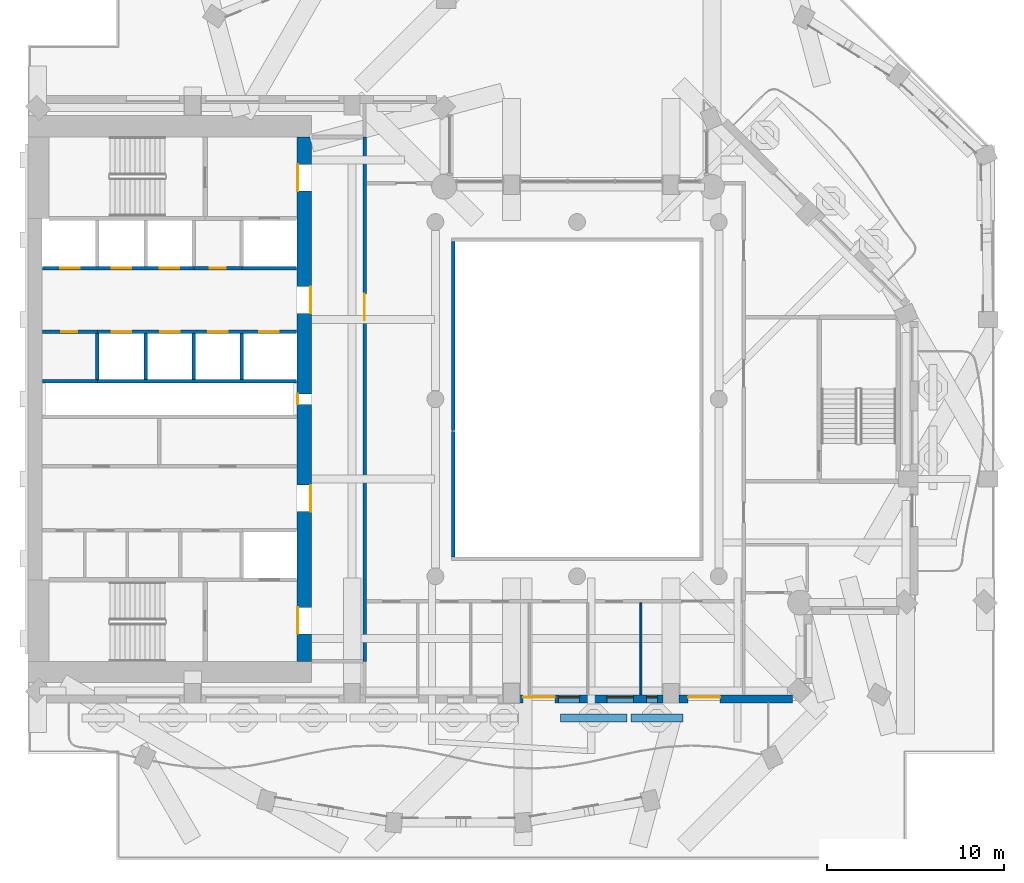
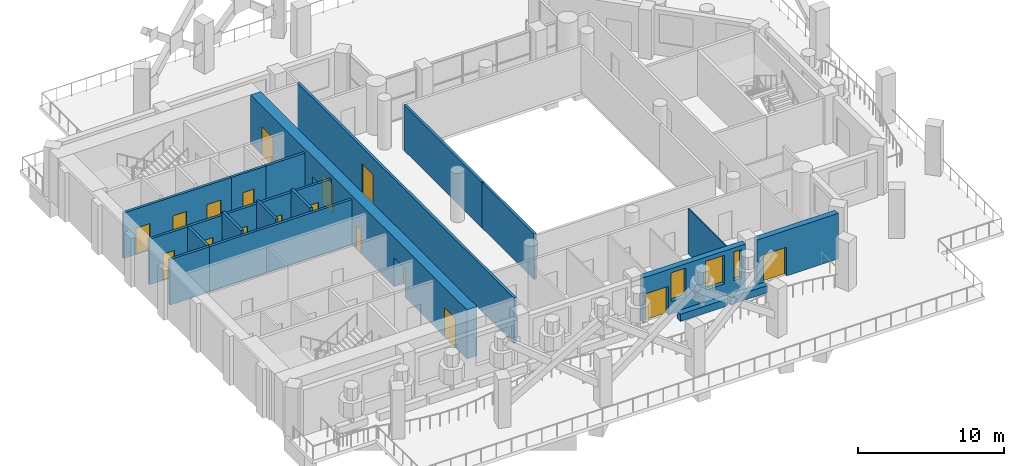
# One storey, part 6 of 18: 20 walls, 17 doors, 3 windows, 20 openings.
"""IFC4 building model written with IfcOpenShell, lengths in metres."""

from ifc_helpers import new_model, si_unit, direction, frame, frame_2d, origin, place, context, subcontext, project, spatial, rectangle, extrude, material, layer, layer_set, type_object, element, fill, save


model = new_model("IFC4")

# Units and contexts
model_context = context("Model", 3, precision=1e-05, world=origin(), true_north=direction((0.0, 1.0)))
body_context = subcontext(model_context, "Body", "Model", "MODEL_VIEW")
ifc_project = project(units=[si_unit("LENGTHUNIT", "METRE"), si_unit("AREAUNIT", "SQUARE_METRE"), si_unit("VOLUMEUNIT", "CUBIC_METRE"), si_unit("PLANEANGLEUNIT", "RADIAN"), si_unit("MASSUNIT", "GRAM", prefix="KILO")], contexts=[model_context])

# Site, building, storey
site_placement = place(None, origin())
site = spatial("IfcSite", under=ifc_project, at=site_placement, CompositionType="ELEMENT")
building_placement = place(site_placement, origin())
building = spatial("IfcBuilding", under=site, at=building_placement, Name="Cypress Arch Tower", CompositionType="ELEMENT")
storey_placement = place(building_placement, frame((0.0, 0.0, 160.5)))
storey = spatial("IfcBuildingStorey", under=building, at=storey_placement, Name="L34", CompositionType="ELEMENT", Elevation=160.5)

# Walls
ifc_material_1 = material(Name="Concrete C40/50, waterproofed", Category="concrete")
ifc_layer_1 = layer(ifc_material_1, 0.449951171875)
ifc_layer_set_1 = layer_set([ifc_layer_1], Name="Balcony planter wall PW450")
wall_type_1 = type_object("IfcWallType", Name="Balcony planter wall PW450", PredefinedType="SOLIDWALL", material=ifc_layer_set_1)
wall_1_placement = place(storey_placement, frame((0.070068359375, -18.0, 0.0), z_axis=(0.0, 0.0, 1.0), x_axis=(1.0, 0.0, 0.0)))
element("IfcWall", 1, at=wall_1_placement, inside=storey, type_object=wall_type_1, Name="Balcony planter wall L34-B01.8", PredefinedType="SOLIDWALL", context=body_context, shape_type="SweptSolid", body=[
    extrude(rectangle(XDim=3.760009765625, YDim=0.449951171875, at=frame_2d((1.8798828125, 0.0))), origin(), (0.0, 0.0, 1.0), 0.60009765625),
])
wall_2_placement = place(storey_placement, frame((4.030029296875, -18.0, 0.0), z_axis=(0.0, 0.0, 1.0), x_axis=(1.0, 0.0, 0.0)))
element("IfcWall", 2, at=wall_2_placement, inside=storey, type_object=wall_type_1, Name="Balcony planter wall L34-B01.9", PredefinedType="SOLIDWALL", context=body_context, shape_type="SweptSolid", body=[
    extrude(rectangle(XDim=2.945068359375, YDim=0.449951171875, at=frame_2d((1.47265625, 0.0))), origin(), (0.0, 0.0, 1.0), 0.60009765625),
])

# Wall, openings, door, windows
ifc_material_2 = material(Name="Brick (red buff blend)", Category="masonry")
ifc_layer_2 = layer(ifc_material_2, 0.449951171875)
ifc_layer_set_2 = layer_set([ifc_layer_2], Name="Brick pier and spandrel wall BW450")
wall_type_2 = type_object("IfcWallType", Name="Brick pier and spandrel wall BW450", PredefinedType="SOLIDWALL", material=ifc_layer_set_2)
wall_3_placement = place(storey_placement, frame((-2.25, -16.925048828125, 0.0), z_axis=(0.0, 0.0, 1.0), x_axis=(1.0, 0.0, 0.0)))
wall_3 = element("IfcWall", 3, at=wall_3_placement, inside=storey, type_object=wall_type_2, Name="Brick wall L34 B01.3", PredefinedType="SOLIDWALL", context=body_context, shape_type="SweptSolid", body=[
    extrude(rectangle(XDim=8.10009765625, YDim=0.449951171875, at=frame_2d((4.050048828125, 0.0))), origin(), (0.0, 0.0, 1.0), 3.800048828125),
])
opening_1_placement = place(wall_3_placement, frame((0.199951171875, 0.0, 0.0)))
opening_1 = element("IfcOpeningElement", 4, at=opening_1_placement, cuts=wall_3, Name="Opening D-L34-B01.3.1", PredefinedType="OPENING", context=body_context, shape_type="SweptSolid", body=[
    extrude(rectangle(XDim=1.800048828125, YDim=2.39990234375, at=frame_2d((0.89990234375, 1.199951171875))), frame((0.0, 0.23486328125, 0.0), z_axis=(0.0, -1.0, 0.0), x_axis=(1.0, 0.0, 0.0)), (0.0, 0.0, 1.0), 0.469970703125),
])
opening_2_placement = place(wall_3_placement, frame((2.199951171875, 0.0, 1.050048828125)))
opening_2 = element("IfcOpeningElement", 5, at=opening_2_placement, cuts=wall_3, Name="Opening W120OD", PredefinedType="OPENING", context=body_context, shape_type="SweptSolid", body=[
    extrude(rectangle(XDim=1.199951171875, YDim=2.39990234375, at=frame_2d((0.60009765625, 1.199951171875))), frame((0.0, 0.23486328125, 0.0), z_axis=(0.0, -1.0, 0.0), x_axis=(1.0, 0.0, 0.0)), (0.0, 0.0, 1.0), 0.469970703125),
])
opening_3_placement = place(wall_3_placement, frame((4.925537109375, 0.0, 1.050048828125)))
opening_3 = element("IfcOpeningElement", 6, at=opening_3_placement, cuts=wall_3, Name="Opening W150OD", PredefinedType="OPENING", context=body_context, shape_type="SweptSolid", body=[
    extrude(rectangle(XDim=1.5, YDim=2.39990234375, at=frame_2d((0.75, 1.199951171875))), frame((0.0, 0.23486328125, 0.0), z_axis=(0.0, -1.0, 0.0), x_axis=(1.0, 0.0, 0.0)), (0.0, 0.0, 1.0), 0.469970703125),
])
opening_4_placement = place(wall_3_placement, frame((7.175537109375, 0.0, 1.050048828125)))
opening_4 = element("IfcOpeningElement", 7, at=opening_4_placement, cuts=wall_3, Name="Opening W060OD", PredefinedType="OPENING", context=body_context, shape_type="SweptSolid", body=[
    extrude(rectangle(XDim=0.60009765625, YDim=2.39990234375, at=frame_2d((0.300048828125, 1.199951171875))), frame((0.0, 0.23486328125, 0.0), z_axis=(0.0, -1.0, 0.0), x_axis=(1.0, 0.0, 0.0)), (0.0, 0.0, 1.0), 0.469970703125),
])
ifc_material_3 = material(Name="Anodised aluminium, bronze finish, laminated low-emissivity double glazing, large-missile impact rated", Category="aluminium")
door_type_1 = type_object("IfcDoorType", Name="Balcony sliding door 1800x2400", OperationType="SLIDING_TO_LEFT", PredefinedType="DOOR", material=ifc_material_3)
door_1_placement = place(opening_1_placement, origin())
door_1 = element("IfcDoor", 8, at=door_1_placement, inside=storey, type_object=door_type_1, Name="Balcony door L34 B01.3.1", OperationType="SLIDING_TO_LEFT", OverallHeight=2.39990234375, OverallWidth=1.800048828125, PredefinedType="DOOR", context=body_context, shape_type="SweptSolid", body=[
    extrude(rectangle(XDim=1.800048828125, YDim=2.39990234375, at=frame_2d((0.89990234375, 1.199951171875))), frame((0.0, 0.1298828125, 0.0), z_axis=(0.0, -1.0, 0.0), x_axis=(1.0, 0.0, 0.0)), (0.0, 0.0, 1.0), 0.050048828125),
])
fill(opening_1, door_1)
ifc_material_4 = material(Name="Anodised aluminium, bronze finish, laminated low-emissivity double glazing, large-missile impact rated", Category="aluminium")
window_type_1 = type_object("IfcWindowType", Name="Window Office 1200x2400 debris-rated", PartitioningType="SINGLE_PANEL", PredefinedType="WINDOW", material=ifc_material_4)
window_1_placement = place(opening_2_placement, origin())
window_1 = element("IfcWindow", 9, at=window_1_placement, inside=storey, type_object=window_type_1, Name="Window L34 B01.3.1", OverallHeight=2.39990234375, OverallWidth=1.199951171875, PartitioningType="SINGLE_PANEL", PredefinedType="WINDOW", context=body_context, shape_type="SweptSolid", body=[
    extrude(rectangle(XDim=1.199951171875, YDim=2.39990234375, at=frame_2d((0.60009765625, 1.199951171875))), frame((0.0, 0.135009765625, 0.0), z_axis=(0.0, -1.0, 0.0), x_axis=(1.0, 0.0, 0.0)), (0.0, 0.0, 1.0), 0.06005859375),
])
fill(opening_2, window_1)
ifc_material_5 = material(Name="Anodised aluminium, bronze finish, laminated low-emissivity double glazing, large-missile impact rated", Category="aluminium")
window_type_2 = type_object("IfcWindowType", Name="Window Office 1500x2400 debris-rated", PartitioningType="SINGLE_PANEL", PredefinedType="WINDOW", material=ifc_material_5)
window_2_placement = place(opening_3_placement, origin())
window_2 = element("IfcWindow", 10, at=window_2_placement, inside=storey, type_object=window_type_2, Name="Window L34 B01.3.2", OverallHeight=2.39990234375, OverallWidth=1.5, PartitioningType="SINGLE_PANEL", PredefinedType="WINDOW", context=body_context, shape_type="SweptSolid", body=[
    extrude(rectangle(XDim=1.5, YDim=2.39990234375, at=frame_2d((0.75, 1.199951171875))), frame((0.0, 0.135009765625, 0.0), z_axis=(0.0, -1.0, 0.0), x_axis=(1.0, 0.0, 0.0)), (0.0, 0.0, 1.0), 0.06005859375),
])
fill(opening_3, window_2)
ifc_material_6 = material(Name="Anodised aluminium, bronze finish, laminated low-emissivity double glazing, large-missile impact rated", Category="aluminium")
window_type_3 = type_object("IfcWindowType", Name="Window Office 600x2400 debris-rated", PartitioningType="SINGLE_PANEL", PredefinedType="WINDOW", material=ifc_material_6)
window_3_placement = place(opening_4_placement, origin())
window_3 = element("IfcWindow", 11, at=window_3_placement, inside=storey, type_object=window_type_3, Name="Window L34 B01.3.2b", OverallHeight=2.39990234375, OverallWidth=0.60009765625, PartitioningType="SINGLE_PANEL", PredefinedType="WINDOW", context=body_context, shape_type="SweptSolid", body=[
    extrude(rectangle(XDim=0.60009765625, YDim=2.39990234375, at=frame_2d((0.300048828125, 1.199951171875))), frame((0.0, 0.135009765625, 0.0), z_axis=(0.0, -1.0, 0.0), x_axis=(1.0, 0.0, 0.0)), (0.0, 0.0, 1.0), 0.06005859375),
])
fill(opening_4, window_3)

# Wall, opening, door
wall_4_placement = place(storey_placement, frame((6.75, -16.925048828125, 0.0), z_axis=(0.0, 0.0, 1.0), x_axis=(1.0, 0.0, 0.0)))
wall_4 = element("IfcWall", 12, at=wall_4_placement, inside=storey, type_object=wall_type_2, Name="Brick wall L34 B01.4", PredefinedType="SOLIDWALL", context=body_context, shape_type="SweptSolid", body=[
    extrude(rectangle(XDim=6.41357421875, YDim=0.449951171875, at=frame_2d((3.206787109375, 0.0))), origin(), (0.0, 0.0, 1.0), 3.800048828125),
])
opening_5_placement = place(wall_4_placement, frame((0.52490234375, 0.0, 0.0)))
opening_5 = element("IfcOpeningElement", 13, at=opening_5_placement, cuts=wall_4, Name="Opening D-L34-B01.4.1", PredefinedType="OPENING", context=body_context, shape_type="SweptSolid", body=[
    extrude(rectangle(XDim=1.800048828125, YDim=2.39990234375, at=frame_2d((0.89990234375, 1.199951171875))), frame((0.0, 0.23486328125, 0.0), z_axis=(0.0, -1.0, 0.0), x_axis=(1.0, 0.0, 0.0)), (0.0, 0.0, 1.0), 0.469970703125),
])
door_2_placement = place(opening_5_placement, origin())
door_2 = element("IfcDoor", 14, at=door_2_placement, inside=storey, type_object=door_type_1, Name="Balcony door L34 B01.4.1", OperationType="SLIDING_TO_LEFT", OverallHeight=2.39990234375, OverallWidth=1.800048828125, PredefinedType="DOOR", context=body_context, shape_type="SweptSolid", body=[
    extrude(rectangle(XDim=1.800048828125, YDim=2.39990234375, at=frame_2d((0.89990234375, 1.199951171875))), frame((0.0, 0.1298828125, 0.0), z_axis=(0.0, -1.0, 0.0), x_axis=(1.0, 0.0, 0.0)), (0.0, 0.0, 1.0), 0.050048828125),
])
fill(opening_5, door_2)

# Wall, openings, doors
ifc_material_7 = material(Name="Concrete C70/85", Category="concrete")
ifc_layer_3 = layer(ifc_material_7, 0.800048828125)
ifc_layer_set_3 = layer_set([ifc_layer_3], Name="Core wall CW800 C70/85")
wall_type_3 = type_object("IfcWallType", Name="Core wall CW800 C70/85", PredefinedType="SHEAR", material=ifc_layer_set_3)
wall_5_placement = place(storey_placement, frame((-14.39990234375, -14.800048828125, 0.0), z_axis=(0.0, 0.0, 1.0), x_axis=(0.0, 1.0, 0.0)))
wall_5 = element("IfcWall", 15, at=wall_5_placement, inside=storey, type_object=wall_type_3, Name="Core wall", PredefinedType="SHEAR", context=body_context, shape_type="SweptSolid", body=[
    extrude(rectangle(XDim=29.60009765625, YDim=0.800048828125, at=frame_2d((14.800048828125, 0.0))), origin(), (0.0, 0.0, 1.0), 4.10009765625),
])
opening_6_placement = place(wall_5_placement, frame((1.550048828125, 0.0, 0.0)))
opening_6 = element("IfcOpeningElement", 16, at=opening_6_placement, cuts=wall_5, Name="Opening D07", PredefinedType="OPENING", context=body_context, shape_type="SweptSolid", body=[
    extrude(rectangle(XDim=1.5, YDim=2.39990234375, at=frame_2d((0.75, 1.199951171875))), frame((0.0, 0.409912109375, 0.0), z_axis=(0.0, -1.0, 0.0), x_axis=(1.0, 0.0, 0.0)), (0.0, 0.0, 1.0), 0.820068359375),
])
opening_7_placement = place(wall_5_placement, frame((26.550048828125, 0.0, 0.0)))
opening_7 = element("IfcOpeningElement", 17, at=opening_7_placement, cuts=wall_5, Name="Opening D07", PredefinedType="OPENING", context=body_context, shape_type="SweptSolid", body=[
    extrude(rectangle(XDim=1.5, YDim=2.39990234375, at=frame_2d((0.75, 1.199951171875))), frame((0.0, 0.409912109375, 0.0), z_axis=(0.0, -1.0, 0.0), x_axis=(1.0, 0.0, 0.0)), (0.0, 0.0, 1.0), 0.820068359375),
])
opening_8_placement = place(wall_5_placement, frame((8.449951171875, 0.0, 0.0)))
opening_8 = element("IfcOpeningElement", 18, at=opening_8_placement, cuts=wall_5, Name="Opening D07", PredefinedType="OPENING", context=body_context, shape_type="SweptSolid", body=[
    extrude(rectangle(XDim=1.5, YDim=2.39990234375, at=frame_2d((0.75, 1.199951171875))), frame((0.0, 0.409912109375, 0.0), z_axis=(0.0, -1.0, 0.0), x_axis=(1.0, 0.0, 0.0)), (0.0, 0.0, 1.0), 0.820068359375),
])
opening_9_placement = place(wall_5_placement, frame((19.64990234375, 0.0, 0.0)))
opening_9 = element("IfcOpeningElement", 19, at=opening_9_placement, cuts=wall_5, Name="Opening D07", PredefinedType="OPENING", context=body_context, shape_type="SweptSolid", body=[
    extrude(rectangle(XDim=1.5, YDim=2.39990234375, at=frame_2d((0.75, 1.199951171875))), frame((0.0, 0.409912109375, 0.0), z_axis=(0.0, -1.0, 0.0), x_axis=(1.0, 0.0, 0.0)), (0.0, 0.0, 1.0), 0.820068359375),
])
opening_10_placement = place(wall_5_placement, frame((14.5, 0.0, 0.0)))
opening_10 = element("IfcOpeningElement", 20, at=opening_10_placement, cuts=wall_5, Name="Opening D08", PredefinedType="OPENING", context=body_context, shape_type="SweptSolid", body=[
    extrude(rectangle(XDim=0.60009765625, YDim=2.0, at=frame_2d((0.300048828125, 1.0))), frame((0.0, 0.409912109375, 0.0), z_axis=(0.0, -1.0, 0.0), x_axis=(1.0, 0.0, 0.0)), (0.0, 0.0, 1.0), 0.820068359375),
])
ifc_material_8 = material(Name="Steel framed glazed door, fire resisting", Category="steel")
door_type_2 = type_object("IfcDoorType", Name="Lobby door D07 1500x2400", OperationType="DOUBLE_DOOR_SINGLE_SWING", PredefinedType="DOOR", material=ifc_material_8)
door_3_placement = place(opening_6_placement, origin())
door_3 = element("IfcDoor", 21, at=door_3_placement, inside=storey, type_object=door_type_2, Name="Lobby door", OperationType="DOUBLE_DOOR_SINGLE_SWING", OverallHeight=2.39990234375, OverallWidth=1.5, PredefinedType="DOOR", context=body_context, shape_type="SweptSolid", body=[
    extrude(rectangle(XDim=1.5, YDim=2.39990234375, at=frame_2d((0.75, 1.199951171875))), frame((0.0, 0.39501953125, 0.0), z_axis=(0.0, -1.0, 0.0), x_axis=(1.0, 0.0, 0.0)), (0.0, 0.0, 1.0), 0.050048828125),
])
fill(opening_6, door_3)
door_4_placement = place(opening_7_placement, origin())
door_4 = element("IfcDoor", 22, at=door_4_placement, inside=storey, type_object=door_type_2, Name="Lobby door", OperationType="DOUBLE_DOOR_SINGLE_SWING", OverallHeight=2.39990234375, OverallWidth=1.5, PredefinedType="DOOR", context=body_context, shape_type="SweptSolid", body=[
    extrude(rectangle(XDim=1.5, YDim=2.39990234375, at=frame_2d((0.75, 1.199951171875))), frame((0.0, 0.39501953125, 0.0), z_axis=(0.0, -1.0, 0.0), x_axis=(1.0, 0.0, 0.0)), (0.0, 0.0, 1.0), 0.050048828125),
])
fill(opening_7, door_4)
door_5_placement = place(opening_8_placement, origin())
door_5 = element("IfcDoor", 23, at=door_5_placement, inside=storey, type_object=door_type_2, Name="Lobby door", OperationType="DOUBLE_DOOR_SINGLE_SWING", OverallHeight=2.39990234375, OverallWidth=1.5, PredefinedType="DOOR", context=body_context, shape_type="SweptSolid", body=[
    extrude(rectangle(XDim=1.5, YDim=2.39990234375, at=frame_2d((0.75, 1.199951171875))), frame((0.0, -0.34521484375, 0.0), z_axis=(0.0, -1.0, 0.0), x_axis=(1.0, 0.0, 0.0)), (0.0, 0.0, 1.0), 0.050048828125),
])
fill(opening_8, door_5)
door_6_placement = place(opening_9_placement, origin())
door_6 = element("IfcDoor", 24, at=door_6_placement, inside=storey, type_object=door_type_2, Name="Lobby door", OperationType="DOUBLE_DOOR_SINGLE_SWING", OverallHeight=2.39990234375, OverallWidth=1.5, PredefinedType="DOOR", context=body_context, shape_type="SweptSolid", body=[
    extrude(rectangle(XDim=1.5, YDim=2.39990234375, at=frame_2d((0.75, 1.199951171875))), frame((0.0, -0.34521484375, 0.0), z_axis=(0.0, -1.0, 0.0), x_axis=(1.0, 0.0, 0.0)), (0.0, 0.0, 1.0), 0.050048828125),
])
fill(opening_9, door_6)
ifc_material_9 = material(Name="Steel access door, fire resisting", Category="steel")
door_type_3 = type_object("IfcDoorType", Name="Riser access door D08 600x2000", OperationType="SINGLE_SWING_LEFT", PredefinedType="DOOR", material=ifc_material_9)
door_7_placement = place(opening_10_placement, origin())
door_7 = element("IfcDoor", 25, at=door_7_placement, inside=storey, type_object=door_type_3, Name="Riser access door", OperationType="SINGLE_SWING_RIGHT", OverallHeight=2.0, OverallWidth=0.60009765625, PredefinedType="DOOR", context=body_context, shape_type="SweptSolid", body=[
    extrude(rectangle(XDim=0.60009765625, YDim=2.0, at=frame_2d((0.300048828125, 1.0))), frame((0.0, 0.39501953125, 0.0), z_axis=(0.0, -1.0, 0.0), x_axis=(1.0, 0.0, 0.0)), (0.0, 0.0, 1.0), 0.050048828125),
])
fill(opening_10, door_7)

# Wall, opening, door
ifc_material_10 = material(Name="Concrete blockwork, plastered, rated", Category="masonry")
ifc_layer_4 = layer(ifc_material_10, 0.199951171875)
ifc_layer_set_4 = layer_set([ifc_layer_4], Name="Corridor wall FW200")
wall_type_4 = type_object("IfcWallType", Name="Corridor wall FW200", PredefinedType="PARTITIONING", material=ifc_layer_set_4)
wall_6_placement = place(storey_placement, frame((-29.169921875, 3.800048828125, 0.0), z_axis=(0.0, 0.0, 1.0), x_axis=(1.0, 0.0, 0.0)))
wall_6 = element("IfcWall", 26, at=wall_6_placement, inside=storey, type_object=wall_type_4, Name="Corridor wall", PredefinedType="PARTITIONING", context=body_context, shape_type="SweptSolid", body=[
    extrude(rectangle(XDim=3.08984375, YDim=0.199951171875, at=frame_2d((1.544921875, 0.0))), origin(), (0.0, 0.0, 1.0), 3.800048828125),
])
opening_11_placement = place(wall_6_placement, frame((1.050048828125, 0.0, 0.0)))
opening_11 = element("IfcOpeningElement", 27, at=opening_11_placement, cuts=wall_6, Name="Opening D05", PredefinedType="OPENING", context=body_context, shape_type="SweptSolid", body=[
    extrude(rectangle(XDim=0.89990234375, YDim=2.199951171875, at=frame_2d((0.449951171875, 1.10009765625))), frame((0.0, 0.10986328125, 0.0), z_axis=(0.0, -1.0, 0.0), x_axis=(1.0, 0.0, 0.0)), (0.0, 0.0, 1.0), 0.219970703125),
])
ifc_material_11 = material(Name="Timber flush door", Category="wood")
door_type_4 = type_object("IfcDoorType", Name="Service door D05 900x2200", OperationType="SINGLE_SWING_LEFT", PredefinedType="DOOR", material=ifc_material_11)
door_8_placement = place(opening_11_placement, origin())
door_8 = element("IfcDoor", 28, at=door_8_placement, inside=storey, type_object=door_type_4, Name="Service door", OperationType="SINGLE_SWING_LEFT", OverallHeight=2.199951171875, OverallWidth=0.89990234375, PredefinedType="DOOR", context=body_context, shape_type="SweptSolid", body=[
    extrude(rectangle(XDim=0.89990234375, YDim=2.199951171875, at=frame_2d((0.449951171875, 1.10009765625))), frame((0.0, 0.02490234375, 0.0), z_axis=(0.0, -1.0, 0.0), x_axis=(1.0, 0.0, 0.0)), (0.0, 0.0, 1.0), 0.050048828125),
])
fill(opening_11, door_8)

wall_7_placement = place(storey_placement, frame((-20.639892578125, 7.39990234375, 0.0), z_axis=(0.0, 0.0, 1.0), x_axis=(1.0, 0.0, 0.0)))
wall_7 = element("IfcWall", 29, at=wall_7_placement, inside=storey, type_object=wall_type_4, Name="Corridor wall", PredefinedType="PARTITIONING", context=body_context, shape_type="SweptSolid", body=[
    extrude(rectangle(XDim=2.719970703125, YDim=0.199951171875, at=frame_2d((1.35986328125, 0.0))), origin(), (0.0, 0.0, 1.0), 3.800048828125),
])
opening_12_placement = place(wall_7_placement, frame((0.89990234375, 0.0, 0.0)))
opening_12 = element("IfcOpeningElement", 30, at=opening_12_placement, cuts=wall_7, Name="Opening D05", PredefinedType="OPENING", context=body_context, shape_type="SweptSolid", body=[
    extrude(rectangle(XDim=0.89990234375, YDim=2.199951171875, at=frame_2d((0.449951171875, 1.10009765625))), frame((0.0, 0.10986328125, 0.0), z_axis=(0.0, -1.0, 0.0), x_axis=(1.0, 0.0, 0.0)), (0.0, 0.0, 1.0), 0.219970703125),
])
door_9_placement = place(opening_12_placement, origin())
door_9 = element("IfcDoor", 31, at=door_9_placement, inside=storey, type_object=door_type_4, Name="Service door", OperationType="SINGLE_SWING_LEFT", OverallHeight=2.199951171875, OverallWidth=0.89990234375, PredefinedType="DOOR", context=body_context, shape_type="SweptSolid", body=[
    extrude(rectangle(XDim=0.89990234375, YDim=2.199951171875, at=frame_2d((0.449951171875, 1.10009765625))), frame((0.0, 0.02490234375, 0.0), z_axis=(0.0, -1.0, 0.0), x_axis=(1.0, 0.0, 0.0)), (0.0, 0.0, 1.0), 0.050048828125),
])
fill(opening_12, door_9)

wall_8_placement = place(storey_placement, frame((-11.0, -14.800048828125, 0.0), z_axis=(0.0, 0.0, 1.0), x_axis=(0.0, 1.0, 0.0)))
wall_8 = element("IfcWall", 32, at=wall_8_placement, inside=storey, type_object=wall_type_4, Name="Corridor wall", PredefinedType="PARTITIONING", context=body_context, shape_type="SweptSolid", body=[
    extrude(rectangle(XDim=29.60009765625, YDim=0.199951171875, at=frame_2d((14.800048828125, 0.0))), origin(), (0.0, 0.0, 1.0), 3.800048828125),
])
opening_13_placement = place(wall_8_placement, frame((19.25, 0.0, 0.0)))
opening_13 = element("IfcOpeningElement", 33, at=opening_13_placement, cuts=wall_8, Name="Opening D07", PredefinedType="OPENING", context=body_context, shape_type="SweptSolid", body=[
    extrude(rectangle(XDim=1.5, YDim=2.39990234375, at=frame_2d((0.75, 1.199951171875))), frame((0.0, 0.10986328125, 0.0), z_axis=(0.0, -1.0, 0.0), x_axis=(1.0, 0.0, 0.0)), (0.0, 0.0, 1.0), 0.219970703125),
])
door_10_placement = place(opening_13_placement, origin())
door_10 = element("IfcDoor", 34, at=door_10_placement, inside=storey, type_object=door_type_2, Name="Lobby door", OperationType="DOUBLE_DOOR_SINGLE_SWING", OverallHeight=2.39990234375, OverallWidth=1.5, PredefinedType="DOOR", context=body_context, shape_type="SweptSolid", body=[
    extrude(rectangle(XDim=1.5, YDim=2.39990234375, at=frame_2d((0.75, 1.199951171875))), frame((0.0, 0.02490234375, 0.0), z_axis=(0.0, -1.0, 0.0), x_axis=(1.0, 0.0, 0.0)), (0.0, 0.0, 1.0), 0.050048828125),
])
fill(opening_13, door_10)

# Walls
wall_9_placement = place(storey_placement, frame((-6.0, -8.89990234375, 0.0), z_axis=(0.0, 0.0, 1.0), x_axis=(0.0, 1.0, 0.0)))
element("IfcWall", 35, at=wall_9_placement, inside=storey, type_object=wall_type_4, Name="Corridor wall", PredefinedType="PARTITIONING", context=body_context, shape_type="SweptSolid", body=[
    extrude(rectangle(XDim=7.079833984375, YDim=0.199951171875, at=frame_2d((3.5400390625, 0.0))), origin(), (0.0, 0.0, 1.0), 3.800048828125),
])
wall_10_placement = place(storey_placement, frame((-6.0, -1.780029296875, 0.0), z_axis=(0.0, 0.0, 1.0), x_axis=(0.0, 1.0, 0.0)))
element("IfcWall", 36, at=wall_10_placement, inside=storey, type_object=wall_type_4, Name="Corridor wall", PredefinedType="PARTITIONING", context=body_context, shape_type="SweptSolid", body=[
    extrude(rectangle(XDim=10.679931640625, YDim=0.199951171875, at=frame_2d((5.33984375, 0.0))), origin(), (0.0, 0.0, 1.0), 3.800048828125),
])
ifc_material_12 = material(Name="Reinforced blockwork, plastered, rated", Category="masonry")
ifc_layer_5 = layer(ifc_material_12, 0.199951171875)
ifc_layer_set_5 = layer_set([ifc_layer_5], Name="Plant and riser wall PL200")
wall_type_5 = type_object("IfcWallType", Name="Plant and riser wall PL200", PredefinedType="PARTITIONING", material=ifc_layer_set_5)
wall_11_placement = place(storey_placement, frame((-29.169921875, 1.0, 0.0), z_axis=(0.0, 0.0, 1.0), x_axis=(1.0, 0.0, 0.0)))
element("IfcWall", 37, at=wall_11_placement, inside=storey, type_object=wall_type_5, Name="Plant and riser wall", PredefinedType="PARTITIONING", context=body_context, shape_type="SweptSolid", body=[
    extrude(rectangle(XDim=3.08984375, YDim=0.199951171875, at=frame_2d((1.544921875, 0.0))), origin(), (0.0, 0.0, 1.0), 3.800048828125),
])

# Wall, openings, doors
ifc_material_13 = material(Name="Concrete C50/60", Category="concrete")
ifc_layer_6 = layer(ifc_material_13, 0.199951171875)
ifc_layer_set_6 = layer_set([ifc_layer_6], Name="Shaft wall SH200")
wall_type_6 = type_object("IfcWallType", Name="Shaft wall SH200", PredefinedType="SHEAR", material=ifc_layer_set_6)
wall_12_placement = place(storey_placement, frame((-29.169921875, 7.39990234375, 0.0), z_axis=(0.0, 0.0, 1.0), x_axis=(1.0, 0.0, 0.0)))
wall_12 = element("IfcWall", 38, at=wall_12_placement, inside=storey, type_object=wall_type_6, Name="Shaft wall", PredefinedType="SHEAR", context=body_context, shape_type="SweptSolid", body=[
    extrude(rectangle(XDim=8.530029296875, YDim=0.199951171875, at=frame_2d((4.26513671875, 0.0))), origin(), (0.0, 0.0, 1.0), 3.800048828125),
])
opening_14_placement = place(wall_12_placement, frame((1.0, 0.0, 0.0)))
opening_14 = element("IfcOpeningElement", 39, at=opening_14_placement, cuts=wall_12, Name="Opening LD-HR5", PredefinedType="OPENING", context=body_context, shape_type="SweptSolid", body=[
    extrude(rectangle(XDim=1.10009765625, YDim=2.199951171875, at=frame_2d((0.550048828125, 1.10009765625))), frame((0.0, 0.10986328125, 0.0), z_axis=(0.0, -1.0, 0.0), x_axis=(1.0, 0.0, 0.0)), (0.0, 0.0, 1.0), 0.219970703125),
])
opening_15_placement = place(wall_12_placement, frame((3.89990234375, 0.0, 0.0)))
opening_15 = element("IfcOpeningElement", 40, at=opening_15_placement, cuts=wall_12, Name="Opening LD-HR6", PredefinedType="OPENING", context=body_context, shape_type="SweptSolid", body=[
    extrude(rectangle(XDim=1.10009765625, YDim=2.199951171875, at=frame_2d((0.550048828125, 1.10009765625))), frame((0.0, 0.10986328125, 0.0), z_axis=(0.0, -1.0, 0.0), x_axis=(1.0, 0.0, 0.0)), (0.0, 0.0, 1.0), 0.219970703125),
])
opening_16_placement = place(wall_12_placement, frame((6.60009765625, 0.0, 0.0)))
opening_16 = element("IfcOpeningElement", 41, at=opening_16_placement, cuts=wall_12, Name="Opening LD-HR7", PredefinedType="OPENING", context=body_context, shape_type="SweptSolid", body=[
    extrude(rectangle(XDim=1.10009765625, YDim=2.199951171875, at=frame_2d((0.550048828125, 1.10009765625))), frame((0.0, 0.10986328125, 0.0), z_axis=(0.0, -1.0, 0.0), x_axis=(1.0, 0.0, 0.0)), (0.0, 0.0, 1.0), 0.219970703125),
])
ifc_material_14 = material(Name="Stainless steel centre-opening landing door, rated", Category="steel")
door_type_5 = type_object("IfcDoorType", Name="Lift landing door LD 1100x2200", OperationType="DOUBLE_DOOR_SLIDING", PredefinedType="DOOR", material=ifc_material_14)
door_11_placement = place(opening_14_placement, origin())
door_11 = element("IfcDoor", 42, at=door_11_placement, inside=storey, type_object=door_type_5, Name="Lift landing doors HR5", OperationType="DOUBLE_DOOR_SLIDING", OverallHeight=2.199951171875, OverallWidth=1.10009765625, PredefinedType="DOOR", context=body_context, shape_type="SweptSolid", body=[
    extrude(rectangle(XDim=1.10009765625, YDim=2.199951171875, at=frame_2d((0.550048828125, 1.10009765625))), frame((0.0, 0.02490234375, 0.0), z_axis=(0.0, -1.0, 0.0), x_axis=(1.0, 0.0, 0.0)), (0.0, 0.0, 1.0), 0.050048828125),
])
fill(opening_14, door_11)
door_12_placement = place(opening_15_placement, origin())
door_12 = element("IfcDoor", 43, at=door_12_placement, inside=storey, type_object=door_type_5, Name="Lift landing doors HR6", OperationType="DOUBLE_DOOR_SLIDING", OverallHeight=2.199951171875, OverallWidth=1.10009765625, PredefinedType="DOOR", context=body_context, shape_type="SweptSolid", body=[
    extrude(rectangle(XDim=1.10009765625, YDim=2.199951171875, at=frame_2d((0.550048828125, 1.10009765625))), frame((0.0, 0.02490234375, 0.0), z_axis=(0.0, -1.0, 0.0), x_axis=(1.0, 0.0, 0.0)), (0.0, 0.0, 1.0), 0.050048828125),
])
fill(opening_15, door_12)
door_13_placement = place(opening_16_placement, origin())
door_13 = element("IfcDoor", 44, at=door_13_placement, inside=storey, type_object=door_type_5, Name="Lift landing doors HR7", OperationType="DOUBLE_DOOR_SLIDING", OverallHeight=2.199951171875, OverallWidth=1.10009765625, PredefinedType="DOOR", context=body_context, shape_type="SweptSolid", body=[
    extrude(rectangle(XDim=1.10009765625, YDim=2.199951171875, at=frame_2d((0.550048828125, 1.10009765625))), frame((0.0, 0.02490234375, 0.0), z_axis=(0.0, -1.0, 0.0), x_axis=(1.0, 0.0, 0.0)), (0.0, 0.0, 1.0), 0.050048828125),
])
fill(opening_16, door_13)

# Walls
wall_13_placement = place(storey_placement, frame((-26.080078125, 1.10009765625, 0.0), z_axis=(0.0, 0.0, 1.0), x_axis=(0.0, 1.0, 0.0)))
element("IfcWall", 45, at=wall_13_placement, inside=storey, type_object=wall_type_6, Name="Shaft wall", PredefinedType="SHEAR", context=body_context, shape_type="SweptSolid", body=[
    extrude(rectangle(XDim=2.599853515625, YDim=0.199951171875, at=frame_2d((1.2998046875, 0.0))), origin(), (0.0, 0.0, 1.0), 3.800048828125),
])
wall_14_placement = place(storey_placement, frame((-26.080078125, 1.0, 0.0), z_axis=(0.0, 0.0, 1.0), x_axis=(1.0, 0.0, 0.0)))
element("IfcWall", 46, at=wall_14_placement, inside=storey, type_object=wall_type_6, Name="Shaft wall", PredefinedType="SHEAR", context=body_context, shape_type="SweptSolid", body=[
    extrude(rectangle(XDim=11.25, YDim=0.199951171875, at=frame_2d((5.625, 0.0))), origin(), (0.0, 0.0, 1.0), 3.800048828125),
])

# Wall, openings, doors
wall_15_placement = place(storey_placement, frame((-26.080078125, 3.800048828125, 0.0), z_axis=(0.0, 0.0, 1.0), x_axis=(1.0, 0.0, 0.0)))
wall_15 = element("IfcWall", 47, at=wall_15_placement, inside=storey, type_object=wall_type_6, Name="Shaft wall", PredefinedType="SHEAR", context=body_context, shape_type="SweptSolid", body=[
    extrude(rectangle(XDim=11.25, YDim=0.199951171875, at=frame_2d((5.625, 0.0))), origin(), (0.0, 0.0, 1.0), 3.800048828125),
])
opening_17_placement = place(wall_15_placement, frame((0.800048828125, 0.0, 0.0)))
opening_17 = element("IfcOpeningElement", 48, at=opening_17_placement, cuts=wall_15, Name="Opening LD-HR1", PredefinedType="OPENING", context=body_context, shape_type="SweptSolid", body=[
    extrude(rectangle(XDim=1.10009765625, YDim=2.199951171875, at=frame_2d((0.550048828125, 1.10009765625))), frame((0.0, 0.10986328125, 0.0), z_axis=(0.0, -1.0, 0.0), x_axis=(1.0, 0.0, 0.0)), (0.0, 0.0, 1.0), 0.219970703125),
])
opening_18_placement = place(wall_15_placement, frame((3.550048828125, 0.0, 0.0)))
opening_18 = element("IfcOpeningElement", 49, at=opening_18_placement, cuts=wall_15, Name="Opening LD-HR2", PredefinedType="OPENING", context=body_context, shape_type="SweptSolid", body=[
    extrude(rectangle(XDim=1.10009765625, YDim=2.199951171875, at=frame_2d((0.550048828125, 1.10009765625))), frame((0.0, 0.10986328125, 0.0), z_axis=(0.0, -1.0, 0.0), x_axis=(1.0, 0.0, 0.0)), (0.0, 0.0, 1.0), 0.219970703125),
])
opening_19_placement = place(wall_15_placement, frame((6.25, 0.0, 0.0)))
opening_19 = element("IfcOpeningElement", 50, at=opening_19_placement, cuts=wall_15, Name="Opening LD-HR3", PredefinedType="OPENING", context=body_context, shape_type="SweptSolid", body=[
    extrude(rectangle(XDim=1.10009765625, YDim=2.199951171875, at=frame_2d((0.550048828125, 1.10009765625))), frame((0.0, 0.10986328125, 0.0), z_axis=(0.0, -1.0, 0.0), x_axis=(1.0, 0.0, 0.0)), (0.0, 0.0, 1.0), 0.219970703125),
])
opening_20_placement = place(wall_15_placement, frame((9.14990234375, 0.0, 0.0)))
opening_20 = element("IfcOpeningElement", 51, at=opening_20_placement, cuts=wall_15, Name="Opening LD-HR4", PredefinedType="OPENING", context=body_context, shape_type="SweptSolid", body=[
    extrude(rectangle(XDim=1.10009765625, YDim=2.199951171875, at=frame_2d((0.550048828125, 1.10009765625))), frame((0.0, 0.10986328125, 0.0), z_axis=(0.0, -1.0, 0.0), x_axis=(1.0, 0.0, 0.0)), (0.0, 0.0, 1.0), 0.219970703125),
])
door_14_placement = place(opening_17_placement, origin())
door_14 = element("IfcDoor", 52, at=door_14_placement, inside=storey, type_object=door_type_5, Name="Lift landing doors HR1", OperationType="DOUBLE_DOOR_SLIDING", OverallHeight=2.199951171875, OverallWidth=1.10009765625, PredefinedType="DOOR", context=body_context, shape_type="SweptSolid", body=[
    extrude(rectangle(XDim=1.10009765625, YDim=2.199951171875, at=frame_2d((0.550048828125, 1.10009765625))), frame((0.0, 0.02490234375, 0.0), z_axis=(0.0, -1.0, 0.0), x_axis=(1.0, 0.0, 0.0)), (0.0, 0.0, 1.0), 0.050048828125),
])
fill(opening_17, door_14)
door_15_placement = place(opening_18_placement, origin())
door_15 = element("IfcDoor", 53, at=door_15_placement, inside=storey, type_object=door_type_5, Name="Lift landing doors HR2", OperationType="DOUBLE_DOOR_SLIDING", OverallHeight=2.199951171875, OverallWidth=1.10009765625, PredefinedType="DOOR", context=body_context, shape_type="SweptSolid", body=[
    extrude(rectangle(XDim=1.10009765625, YDim=2.199951171875, at=frame_2d((0.550048828125, 1.10009765625))), frame((0.0, 0.02490234375, 0.0), z_axis=(0.0, -1.0, 0.0), x_axis=(1.0, 0.0, 0.0)), (0.0, 0.0, 1.0), 0.050048828125),
])
fill(opening_18, door_15)
door_16_placement = place(opening_19_placement, origin())
door_16 = element("IfcDoor", 54, at=door_16_placement, inside=storey, type_object=door_type_5, Name="Lift landing doors HR3", OperationType="DOUBLE_DOOR_SLIDING", OverallHeight=2.199951171875, OverallWidth=1.10009765625, PredefinedType="DOOR", context=body_context, shape_type="SweptSolid", body=[
    extrude(rectangle(XDim=1.10009765625, YDim=2.199951171875, at=frame_2d((0.550048828125, 1.10009765625))), frame((0.0, 0.02490234375, 0.0), z_axis=(0.0, -1.0, 0.0), x_axis=(1.0, 0.0, 0.0)), (0.0, 0.0, 1.0), 0.050048828125),
])
fill(opening_19, door_16)
door_17_placement = place(opening_20_placement, origin())
door_17 = element("IfcDoor", 55, at=door_17_placement, inside=storey, type_object=door_type_5, Name="Lift landing doors HR4", OperationType="DOUBLE_DOOR_SLIDING", OverallHeight=2.199951171875, OverallWidth=1.10009765625, PredefinedType="DOOR", context=body_context, shape_type="SweptSolid", body=[
    extrude(rectangle(XDim=1.10009765625, YDim=2.199951171875, at=frame_2d((0.550048828125, 1.10009765625))), frame((0.0, 0.02490234375, 0.0), z_axis=(0.0, -1.0, 0.0), x_axis=(1.0, 0.0, 0.0)), (0.0, 0.0, 1.0), 0.050048828125),
])
fill(opening_20, door_17)

# Walls
for number, where, z_axis, x_axis, name in (
    (56, (-23.360107421875, 1.10009765625, 0.0), (0.0, 0.0, 1.0), (0.0, 1.0, 0.0), "Shaft wall"),
    (57, (-20.639892578125, 1.10009765625, 0.0), (0.0, 0.0, 1.0), (0.0, 1.0, 0.0), "Shaft wall"),
    (58, (-17.919921875, 1.10009765625, 0.0), (0.0, 0.0, 1.0), (0.0, 1.0, 0.0), "Shaft wall"),
):
    element("IfcWall", number, at=place(storey_placement, frame(where, z_axis=z_axis, x_axis=x_axis)), inside=storey, type_object=wall_type_6, Name=name, PredefinedType="SHEAR", context=body_context, shape_type="SweptSolid", body=[
        extrude(rectangle(XDim=2.599853515625, YDim=0.199951171875, at=frame_2d((1.2998046875, 0.0))), origin(), (0.0, 0.0, 1.0), 4.10009765625),
    ])
wall_16_placement = place(storey_placement, frame((-17.919921875, 7.39990234375, 0.0), z_axis=(0.0, 0.0, 1.0), x_axis=(1.0, 0.0, 0.0)))
element("IfcWall", 59, at=wall_16_placement, inside=storey, type_object=wall_type_6, Name="Shaft wall", PredefinedType="SHEAR", context=body_context, shape_type="SweptSolid", body=[
    extrude(rectangle(XDim=3.08984375, YDim=0.199951171875, at=frame_2d((1.544921875, 0.0))), origin(), (0.0, 0.0, 1.0), 3.800048828125),
])
ifc_material_15 = material(Name="Moisture resistant board on steel studs, tiled", Category="steel")
ifc_layer_7 = layer(ifc_material_15, 0.10009765625)
ifc_layer_set_7 = layer_set([ifc_layer_7], Name="Wet wall PW100")
wall_type_7 = type_object("IfcWallType", Name="Wet wall PW100", PredefinedType="PARTITIONING", material=ifc_layer_set_7)
wall_17_placement = place(storey_placement, frame((4.60107421875, -16.699951171875, 0.0), z_axis=(0.0, 0.0, 1.0), x_axis=(0.0, 1.0, 0.0)))
element("IfcWall", 60, at=wall_17_placement, inside=storey, type_object=wall_type_7, Name="Wet wall", PredefinedType="PARTITIONING", context=body_context, shape_type="SweptSolid", body=[
    extrude(rectangle(XDim=5.199951171875, YDim=0.10009765625, at=frame_2d((2.60009765625, 0.0))), origin(), (0.0, 0.0, 1.0), 3.800048828125),
])

save(model, "model.ifc")
